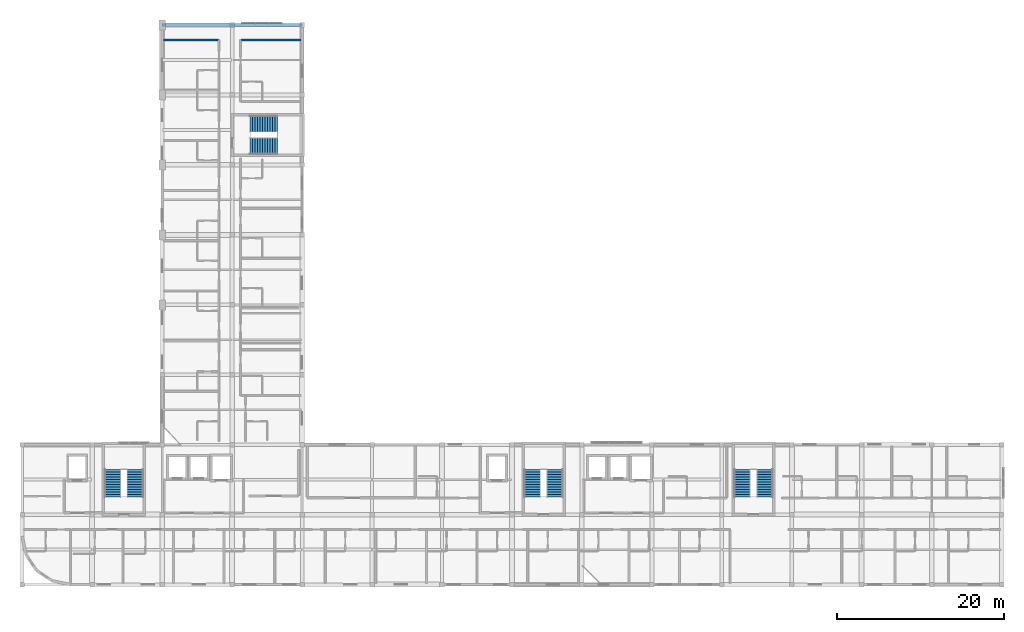
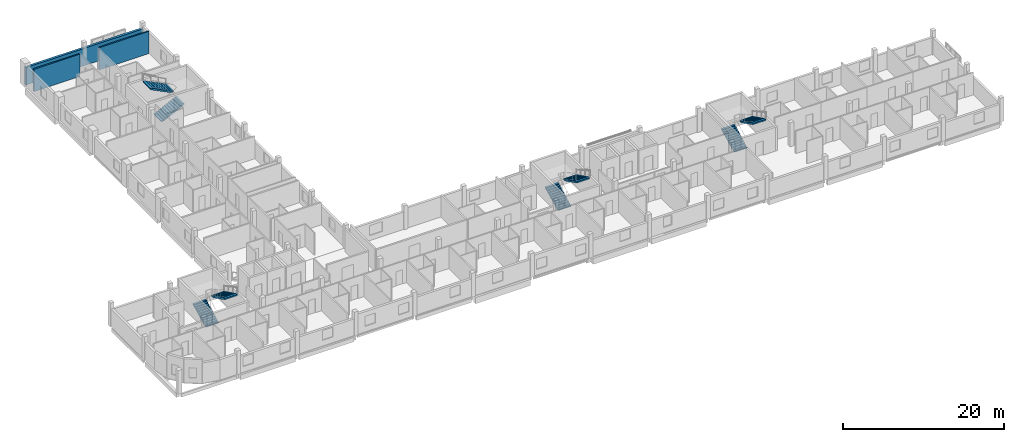
# One storey, part 18 of 20: 8 stair flights, 3 walls, 4 elements without a shape of their own.
"""IFC4 building model written with IfcOpenShell, lengths in metres."""

from ifc_helpers import new_model, si_unit, derived_unit, direction, frame, frame_2d, origin, place, context, subcontext, project, spatial, polyline, rectangle, outline, extrude, material, layer, layer_set, type_object, element, aggregate, save


model = new_model("IFC4")

# Units and contexts
model_context = context("Model", 3, precision=1e-05, world=origin(), true_north=direction((0.0, 1.0)))
body_context = subcontext(model_context, "Body", "Model", "MODEL_VIEW")
ifc_project = project(units=[si_unit("LENGTHUNIT", "METRE"), si_unit("AREAUNIT", "SQUARE_METRE"), si_unit("VOLUMEUNIT", "CUBIC_METRE"), si_unit("PLANEANGLEUNIT", "RADIAN"), si_unit("MASSUNIT", "GRAM", prefix="KILO"), derived_unit("THERMALTRANSMITTANCEUNIT", [(si_unit("POWERUNIT", "WATT"), 1), (si_unit("LENGTHUNIT", "METRE"), -2), (si_unit("THERMODYNAMICTEMPERATUREUNIT", "KELVIN"), -1)])], contexts=[model_context])

# Site, building, storey
site_placement = place(None, origin())
site = spatial("IfcSite", under=ifc_project, at=site_placement, CompositionType="ELEMENT")
building_placement = place(site_placement, origin())
building = spatial("IfcBuilding", under=site, at=building_placement, Name="Barrovel Congress Hotel", CompositionType="ELEMENT")
storey_placement = place(building_placement, frame((0.0, 0.0, 36.300048828125)))
storey = spatial("IfcBuildingStorey", under=building, at=storey_placement, Name="L09", CompositionType="ELEMENT", Elevation=36.300048828125)

# Walls
ifc_material_1 = material(Name="Fired Clay Brick Masonry", Category="masonry")
ifc_layer_1 = layer(ifc_material_1, 0.320068359375)
ifc_layer_set_1 = layer_set([ifc_layer_1], Name="Fired Clay Brick Masonry")
wall_type_1 = type_object("IfcWallType", Name="EW-BRK320", PredefinedType="STANDARD", material=ifc_layer_set_1)
wall_1_placement = place(storey_placement, frame((50.39990234375, 71.39990234375, 0.0), z_axis=(0.0, 0.0, 1.0), x_axis=(-1.0, 0.0, 0.0)))
element("IfcWall", 1, at=wall_1_placement, inside=storey, type_object=wall_type_1, Name="EW:L09:HW-N", PredefinedType="STANDARD", context=body_context, shape_type="SweptSolid", body=[
    extrude(rectangle(XDim=16.7998046875, YDim=0.320068359375, at=frame_2d((8.39990234375, 0.0))), origin(), (0.0, 0.0, 1.0), 2.6298828125),
])
ifc_layer_2 = layer(ifc_material_1, 0.199951171875)
ifc_layer_set_2 = layer_set([ifc_layer_2], Name="Fired Clay Brick Masonry")
wall_type_2 = type_object("IfcWallType", Name="PW-MAS-200", PredefinedType="PARTITIONING", material=ifc_layer_set_2)
wall_2_placement = place(storey_placement, frame((33.760009765625, 69.60009765625, 0.0), z_axis=(0.0, 0.0, 1.0), x_axis=(1.0, 0.0, 0.0)))
element("IfcWall", 2, at=wall_2_placement, inside=storey, type_object=wall_type_2, Name="PW:L09:U32:DEM", PredefinedType="PARTITIONING", context=body_context, shape_type="SweptSolid", body=[
    extrude(rectangle(XDim=6.550048828125, YDim=0.199951171875, at=frame_2d((3.27490234375, 0.0))), origin(), (0.0, 0.0, 1.0), 3.375),
])
wall_3_placement = place(storey_placement, frame((43.090087890625, 69.60009765625, 0.0), z_axis=(0.0, 0.0, 1.0), x_axis=(1.0, 0.0, 0.0)))
element("IfcWall", 3, at=wall_3_placement, inside=storey, type_object=wall_type_2, Name="PW:L09:U38:DEM", PredefinedType="PARTITIONING", context=body_context, shape_type="SweptSolid", body=[
    extrude(rectangle(XDim=7.14990234375, YDim=0.199951171875, at=frame_2d((3.574951171875, 0.0))), origin(), (0.0, 0.0, 1.0), 3.375),
])

# Stair, stair flights
ifc_material_2 = material(Name="Concrete C40", Category="concrete")
stair_type_1 = type_object("IfcStairType", Name="STR-HT-360", PredefinedType="HALF_TURN_STAIR", material=ifc_material_2)
stair_1_placement = place(storey_placement, origin())
stair_1 = element("IfcStair", 4, at=stair_1_placement, inside=storey, type_object=stair_type_1, Name="Exit Stair XS-01 (L09)", PredefinedType="HALF_TURN_STAIR")
stair_flight_type_1 = type_object("IfcStairFlightType", Name="SFL-200x180", PredefinedType="STRAIGHT", material=ifc_material_2)
stair_flight_1_placement = place(storey_placement, frame((27.679931640625, 14.739990234375, 0.0), z_axis=(0.0, 0.0, 1.0), x_axis=(0.0, 1.0, 0.0)))
stair_flight_1 = element("IfcStairFlight", 5, at=stair_flight_1_placement, type_object=stair_flight_type_1, Name="STAIR:XS-01:L09:F1", NumberOfRisers=12, NumberOfTreads=11, PredefinedType="STRAIGHT", RiserHeight=0.15, TreadLength=0.3, context=body_context, shape_type="SweptSolid", body=[
    extrude(outline(polyline([(0.0, 0.0), (0.0, 0.14990234375), (0.300048828125, 0.14990234375), (0.300048828125, 0.300048828125), (0.60009765625, 0.300048828125), (0.60009765625, 0.449951171875), (0.89990234375, 0.449951171875), (0.89990234375, 0.60009765625), (1.199951171875, 0.60009765625), (1.199951171875, 0.75), (1.5, 0.75), (1.5, 0.89990234375), (1.800048828125, 0.89990234375), (1.800048828125, 1.050048828125), (2.10009765625, 1.050048828125), (2.10009765625, 1.199951171875), (2.39990234375, 1.199951171875), (2.39990234375, 1.35009765625), (2.699951171875, 1.35009765625), (2.699951171875, 1.5), (3.0, 1.5), (3.0, 1.64990234375), (3.300048828125, 1.64990234375), (3.300048828125, 1.800048828125), (3.300048828125, 1.44873046875), (0.40234375, 0.0), (0.0, 0.0)])), frame((0.0, 0.919921875, 0.0), z_axis=(0.0, -1.0, 0.0), x_axis=(1.0, 0.0, 0.0)), (0.0, 0.0, 1.0), 1.840087890625),
])
stair_flight_2_placement = place(storey_placement, frame((30.320068359375, 18.0400390625, 1.800048828125), z_axis=(0.0, 0.0, 1.0), x_axis=(0.0, -1.0, 0.0)))
stair_flight_2 = element("IfcStairFlight", 6, at=stair_flight_2_placement, type_object=stair_flight_type_1, Name="STAIR:XS-01:L09:F2", NumberOfRisers=12, NumberOfTreads=11, PredefinedType="STRAIGHT", RiserHeight=0.15, TreadLength=0.3, context=body_context, shape_type="SweptSolid", body=[
    extrude(outline(polyline([(0.0, 0.0), (0.0, 0.14990234375), (0.300048828125, 0.14990234375), (0.300048828125, 0.300048828125), (0.60009765625, 0.300048828125), (0.60009765625, 0.449951171875), (0.89990234375, 0.449951171875), (0.89990234375, 0.60009765625), (1.199951171875, 0.60009765625), (1.199951171875, 0.75), (1.5, 0.75), (1.5, 0.89990234375), (1.800048828125, 0.89990234375), (1.800048828125, 1.050048828125), (2.10009765625, 1.050048828125), (2.10009765625, 1.199951171875), (2.39990234375, 1.199951171875), (2.39990234375, 1.35009765625), (2.699951171875, 1.35009765625), (2.699951171875, 1.5), (3.0, 1.5), (3.0, 1.64990234375), (3.300048828125, 1.64990234375), (3.300048828125, 1.800048828125), (3.300048828125, 1.44873046875), (0.40234375, 0.0), (0.0, 0.0)])), frame((0.0, 0.919921875, 0.0), z_axis=(0.0, -1.0, 0.0), x_axis=(1.0, 0.0, 0.0)), (0.0, 0.0, 1.0), 1.840087890625),
])
aggregate(stair_1, [stair_flight_1, stair_flight_2])

stair_2_placement = place(storey_placement, origin())
stair_2 = element("IfcStair", 7, at=stair_2_placement, inside=storey, type_object=stair_type_1, Name="Exit Stair XS-02 (L09)", PredefinedType="HALF_TURN_STAIR")
stair_flight_3_placement = place(storey_placement, frame((78.080078125, 14.739990234375, 0.0), z_axis=(0.0, 0.0, 1.0), x_axis=(0.0, 1.0, 0.0)))
stair_flight_3 = element("IfcStairFlight", 8, at=stair_flight_3_placement, type_object=stair_flight_type_1, Name="STAIR:XS-02:L09:F1", NumberOfRisers=12, NumberOfTreads=11, PredefinedType="STRAIGHT", RiserHeight=0.15, TreadLength=0.3, context=body_context, shape_type="SweptSolid", body=[
    extrude(outline(polyline([(0.0, 0.0), (0.0, 0.14990234375), (0.300048828125, 0.14990234375), (0.300048828125, 0.300048828125), (0.60009765625, 0.300048828125), (0.60009765625, 0.449951171875), (0.89990234375, 0.449951171875), (0.89990234375, 0.60009765625), (1.199951171875, 0.60009765625), (1.199951171875, 0.75), (1.5, 0.75), (1.5, 0.89990234375), (1.800048828125, 0.89990234375), (1.800048828125, 1.050048828125), (2.10009765625, 1.050048828125), (2.10009765625, 1.199951171875), (2.39990234375, 1.199951171875), (2.39990234375, 1.35009765625), (2.699951171875, 1.35009765625), (2.699951171875, 1.5), (3.0, 1.5), (3.0, 1.64990234375), (3.300048828125, 1.64990234375), (3.300048828125, 1.800048828125), (3.300048828125, 1.44873046875), (0.40234375, 0.0), (0.0, 0.0)])), frame((0.0, 0.919921875, 0.0), z_axis=(0.0, -1.0, 0.0), x_axis=(1.0, 0.0, 0.0)), (0.0, 0.0, 1.0), 1.840087890625),
])
stair_flight_4_placement = place(storey_placement, frame((80.719970703125, 18.0400390625, 1.800048828125), z_axis=(0.0, 0.0, 1.0), x_axis=(0.0, -1.0, 0.0)))
stair_flight_4 = element("IfcStairFlight", 9, at=stair_flight_4_placement, type_object=stair_flight_type_1, Name="STAIR:XS-02:L09:F2", NumberOfRisers=12, NumberOfTreads=11, PredefinedType="STRAIGHT", RiserHeight=0.15, TreadLength=0.3, context=body_context, shape_type="SweptSolid", body=[
    extrude(outline(polyline([(0.0, 0.0), (0.0, 0.14990234375), (0.300048828125, 0.14990234375), (0.300048828125, 0.300048828125), (0.60009765625, 0.300048828125), (0.60009765625, 0.449951171875), (0.89990234375, 0.449951171875), (0.89990234375, 0.60009765625), (1.199951171875, 0.60009765625), (1.199951171875, 0.75), (1.5, 0.75), (1.5, 0.89990234375), (1.800048828125, 0.89990234375), (1.800048828125, 1.050048828125), (2.10009765625, 1.050048828125), (2.10009765625, 1.199951171875), (2.39990234375, 1.199951171875), (2.39990234375, 1.35009765625), (2.699951171875, 1.35009765625), (2.699951171875, 1.5), (3.0, 1.5), (3.0, 1.64990234375), (3.300048828125, 1.64990234375), (3.300048828125, 1.800048828125), (3.300048828125, 1.44873046875), (0.40234375, 0.0), (0.0, 0.0)])), frame((0.0, 0.919921875, 0.0), z_axis=(0.0, -1.0, 0.0), x_axis=(1.0, 0.0, 0.0)), (0.0, 0.0, 1.0), 1.840087890625),
])
aggregate(stair_2, [stair_flight_3, stair_flight_4])

stair_3_placement = place(storey_placement, origin())
stair_3 = element("IfcStair", 10, at=stair_3_placement, inside=storey, type_object=stair_type_1, Name="Exit Stair XS-03 (L09)", PredefinedType="HALF_TURN_STAIR")
stair_flight_5_placement = place(storey_placement, frame((103.280029296875, 14.739990234375, 0.0), z_axis=(0.0, 0.0, 1.0), x_axis=(0.0, 1.0, 0.0)))
stair_flight_5 = element("IfcStairFlight", 11, at=stair_flight_5_placement, type_object=stair_flight_type_1, Name="STAIR:XS-03:L09:F1", NumberOfRisers=12, NumberOfTreads=11, PredefinedType="STRAIGHT", RiserHeight=0.15, TreadLength=0.3, context=body_context, shape_type="SweptSolid", body=[
    extrude(outline(polyline([(0.0, 0.0), (0.0, 0.14990234375), (0.300048828125, 0.14990234375), (0.300048828125, 0.300048828125), (0.60009765625, 0.300048828125), (0.60009765625, 0.449951171875), (0.89990234375, 0.449951171875), (0.89990234375, 0.60009765625), (1.199951171875, 0.60009765625), (1.199951171875, 0.75), (1.5, 0.75), (1.5, 0.89990234375), (1.800048828125, 0.89990234375), (1.800048828125, 1.050048828125), (2.10009765625, 1.050048828125), (2.10009765625, 1.199951171875), (2.39990234375, 1.199951171875), (2.39990234375, 1.35009765625), (2.699951171875, 1.35009765625), (2.699951171875, 1.5), (3.0, 1.5), (3.0, 1.64990234375), (3.300048828125, 1.64990234375), (3.300048828125, 1.800048828125), (3.300048828125, 1.44873046875), (0.40234375, 0.0), (0.0, 0.0)])), frame((0.0, 0.919921875, 0.0), z_axis=(0.0, -1.0, 0.0), x_axis=(1.0, 0.0, 0.0)), (0.0, 0.0, 1.0), 1.840087890625),
])
stair_flight_6_placement = place(storey_placement, frame((105.919921875, 18.0400390625, 1.800048828125), z_axis=(0.0, 0.0, 1.0), x_axis=(0.0, -1.0, 0.0)))
stair_flight_6 = element("IfcStairFlight", 12, at=stair_flight_6_placement, type_object=stair_flight_type_1, Name="STAIR:XS-03:L09:F2", NumberOfRisers=12, NumberOfTreads=11, PredefinedType="STRAIGHT", RiserHeight=0.15, TreadLength=0.3, context=body_context, shape_type="SweptSolid", body=[
    extrude(outline(polyline([(0.0, 0.0), (0.0, 0.14990234375), (0.300048828125, 0.14990234375), (0.300048828125, 0.300048828125), (0.60009765625, 0.300048828125), (0.60009765625, 0.449951171875), (0.89990234375, 0.449951171875), (0.89990234375, 0.60009765625), (1.199951171875, 0.60009765625), (1.199951171875, 0.75), (1.5, 0.75), (1.5, 0.89990234375), (1.800048828125, 0.89990234375), (1.800048828125, 1.050048828125), (2.10009765625, 1.050048828125), (2.10009765625, 1.199951171875), (2.39990234375, 1.199951171875), (2.39990234375, 1.35009765625), (2.699951171875, 1.35009765625), (2.699951171875, 1.5), (3.0, 1.5), (3.0, 1.64990234375), (3.300048828125, 1.64990234375), (3.300048828125, 1.800048828125), (3.300048828125, 1.44873046875), (0.40234375, 0.0), (0.0, 0.0)])), frame((0.0, 0.919921875, 0.0), z_axis=(0.0, -1.0, 0.0), x_axis=(1.0, 0.0, 0.0)), (0.0, 0.0, 1.0), 1.840087890625),
])
aggregate(stair_3, [stair_flight_5, stair_flight_6])

stair_type_2 = type_object("IfcStairType", Name="STR-DR-360", PredefinedType="DOUBLE_RETURN_STAIR", material=ifc_material_2)
stair_4_placement = place(storey_placement, origin())
stair_4 = element("IfcStair", 13, at=stair_4_placement, inside=storey, type_object=stair_type_2, Name="Exit Stair XS-05 (L09)", PredefinedType="DOUBLE_RETURN_STAIR")
stair_flight_type_2 = type_object("IfcStairFlightType", Name="SFL-205x180", PredefinedType="STRAIGHT", material=ifc_material_2)
stair_flight_7_placement = place(storey_placement, frame((44.139892578125, 56.889892578125, 0.0), z_axis=(0.0, 0.0, 1.0), x_axis=(1.0, 0.0, 0.0)))
stair_flight_7 = element("IfcStairFlight", 14, at=stair_flight_7_placement, type_object=stair_flight_type_2, Name="STAIR:XS-05:L09:F1", NumberOfRisers=12, NumberOfTreads=11, PredefinedType="STRAIGHT", RiserHeight=0.15, TreadLength=0.3, context=body_context, shape_type="SweptSolid", body=[
    extrude(outline(polyline([(0.0, 0.0), (0.0, 0.14990234375), (0.300048828125, 0.14990234375), (0.300048828125, 0.300048828125), (0.60009765625, 0.300048828125), (0.60009765625, 0.449951171875), (0.89990234375, 0.449951171875), (0.89990234375, 0.60009765625), (1.199951171875, 0.60009765625), (1.199951171875, 0.75), (1.5, 0.75), (1.5, 0.89990234375), (1.800048828125, 0.89990234375), (1.800048828125, 1.050048828125), (2.10009765625, 1.050048828125), (2.10009765625, 1.199951171875), (2.39990234375, 1.199951171875), (2.39990234375, 1.35009765625), (2.699951171875, 1.35009765625), (2.699951171875, 1.5), (3.0, 1.5), (3.0, 1.64990234375), (3.300048828125, 1.64990234375), (3.300048828125, 1.800048828125), (3.300048828125, 1.44873046875), (0.40234375, 0.0), (0.0, 0.0)])), frame((0.0, 0.93017578125, 0.0), z_axis=(0.0, -1.0, 0.0), x_axis=(1.0, 0.0, 0.0)), (0.0, 0.0, 1.0), 1.860107421875),
])
stair_flight_8_placement = place(storey_placement, frame((47.43994140625, 59.510009765625, 1.800048828125), z_axis=(0.0, 0.0, 1.0), x_axis=(-1.0, 0.0, 0.0)))
stair_flight_8 = element("IfcStairFlight", 15, at=stair_flight_8_placement, type_object=stair_flight_type_2, Name="STAIR:XS-05:L09:F2", NumberOfRisers=12, NumberOfTreads=11, PredefinedType="STRAIGHT", RiserHeight=0.15, TreadLength=0.3, context=body_context, shape_type="SweptSolid", body=[
    extrude(outline(polyline([(0.0, 0.0), (0.0, 0.14990234375), (0.300048828125, 0.14990234375), (0.300048828125, 0.300048828125), (0.60009765625, 0.300048828125), (0.60009765625, 0.449951171875), (0.89990234375, 0.449951171875), (0.89990234375, 0.60009765625), (1.199951171875, 0.60009765625), (1.199951171875, 0.75), (1.5, 0.75), (1.5, 0.89990234375), (1.800048828125, 0.89990234375), (1.800048828125, 1.050048828125), (2.10009765625, 1.050048828125), (2.10009765625, 1.199951171875), (2.39990234375, 1.199951171875), (2.39990234375, 1.35009765625), (2.699951171875, 1.35009765625), (2.699951171875, 1.5), (3.0, 1.5), (3.0, 1.64990234375), (3.300048828125, 1.64990234375), (3.300048828125, 1.800048828125), (3.300048828125, 1.44873046875), (0.40234375, 0.0), (0.0, 0.0)])), frame((0.0, 0.93017578125, 0.0), z_axis=(0.0, -1.0, 0.0), x_axis=(1.0, 0.0, 0.0)), (0.0, 0.0, 1.0), 1.860107421875),
])
aggregate(stair_4, [stair_flight_7, stair_flight_8])

save(model, "model.ifc")
